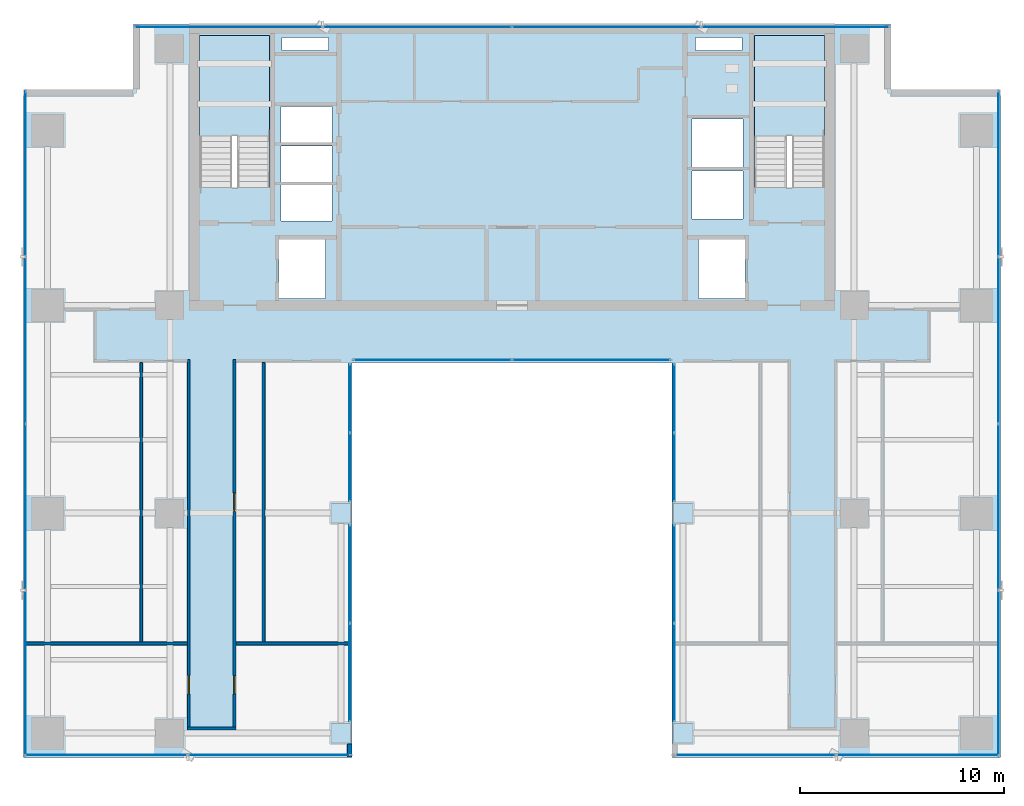
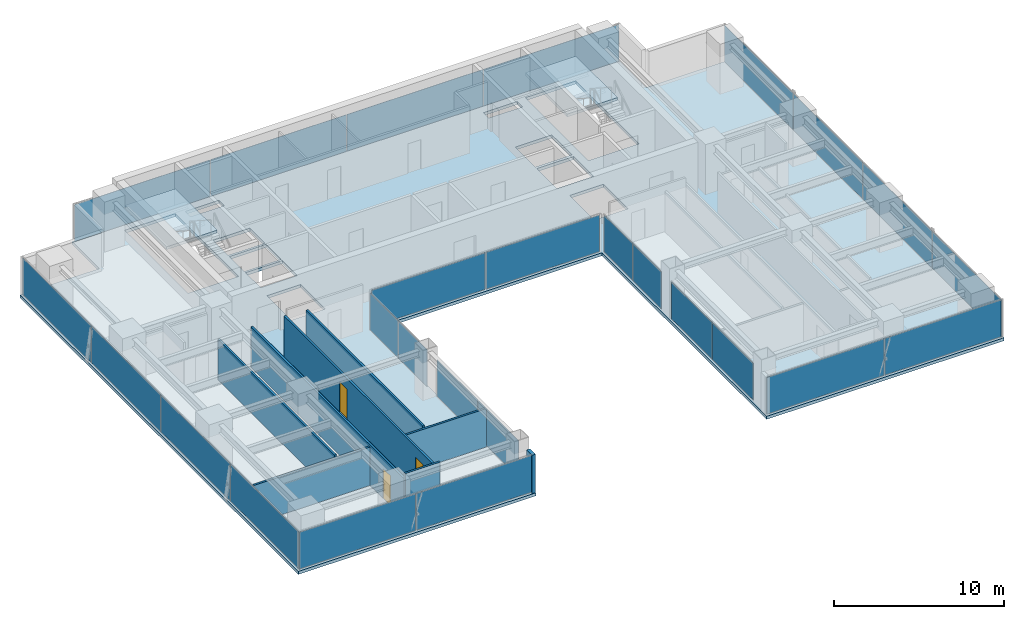
# One storey, part 23 of 30: 26 plates, 8 walls, 3 doors, 3 slabs, 3 openings, 12 elements without a shape of their own.
"""IFC4 building model written with IfcOpenShell, lengths in metres."""

from ifc_helpers import new_model, si_unit, direction, frame, frame_2d, origin, origin_2d, place, context, subcontext, project, spatial, polyline, rectangle, outline, extrude, source, transform, mapped, material, layer, layer_set, type_object, element, fill, aggregate, save


model = new_model("IFC4")

# Units and contexts
model_context = context("Model", 3, precision=1e-05, world=origin(), true_north=direction((0.0, 1.0)))
body_context = subcontext(model_context, "Body", "Model", "MODEL_VIEW")
ifc_project = project(units=[si_unit("LENGTHUNIT", "METRE"), si_unit("AREAUNIT", "SQUARE_METRE"), si_unit("VOLUMEUNIT", "CUBIC_METRE"), si_unit("PLANEANGLEUNIT", "RADIAN"), si_unit("MASSUNIT", "GRAM", prefix="KILO")], contexts=[model_context])

# Site, building, storey
site_placement = place(None, origin())
site = spatial("IfcSite", under=ifc_project, at=site_placement, CompositionType="ELEMENT")
building_placement = place(site_placement, origin())
building = spatial("IfcBuilding", under=site, at=building_placement, Name="Sumidabori Civic Tower", CompositionType="ELEMENT")
storey_placement = place(building_placement, frame((0.0, 0.0, 200.0)))
storey = spatial("IfcBuildingStorey", under=building, at=storey_placement, Name="L51", CompositionType="ELEMENT", Elevation=200.0)

# Stair, slab
ifc_material_1 = material(Name="Concrete C40/50", Category="concrete")
stair_type = type_object("IfcStairType", Name="ST-CORE-1600", PredefinedType="HALF_TURN_STAIR", material=ifc_material_1)
stair_1_placement = place(storey_placement, origin())
stair_1 = element("IfcStair", 1, at=stair_1_placement, inside=storey, type_object=stair_type, Name="L51 ST-1", PredefinedType="HALF_TURN_STAIR")
ifc_layer_1 = layer(ifc_material_1, 0.199951171875, Name="Concrete C40/50")
ifc_layer_set_1 = layer_set([ifc_layer_1], Name="Concrete C40/50")
slab_type_1 = type_object("IfcSlabType", Name="SL-LAND-200", PredefinedType="LANDING", material=ifc_layer_set_1)
slab_1_placement = place(storey_placement, frame((0.0, 0.0, 1.60009765625)))
slab_1 = element("IfcSlab", 2, at=slab_1_placement, type_object=slab_type_1, Name="ST-1 landing 1", PredefinedType="LANDING", context=body_context, shape_type="SweptSolid", body=[
    extrude(outline(polyline([(-11.89990234375, 18.52001953125), (-11.89990234375, 23.449951171875), (-15.340087890625, 23.449951171875), (-15.340087890625, 18.52001953125), (-11.89990234375, 18.52001953125)])), origin(), (0.0, 0.0, 1.0), 0.199951171875),
])
aggregate(stair_1, [slab_1])

stair_2_placement = place(storey_placement, origin())
stair_2 = element("IfcStair", 3, at=stair_2_placement, inside=storey, type_object=stair_type, Name="L51 ST-2", PredefinedType="HALF_TURN_STAIR")
slab_2_placement = place(storey_placement, frame((0.0, 0.0, 1.60009765625)))
slab_2 = element("IfcSlab", 4, at=slab_2_placement, type_object=slab_type_1, Name="ST-2 landing 1", PredefinedType="LANDING", context=body_context, shape_type="SweptSolid", body=[
    extrude(outline(polyline([(15.340087890625, 18.52001953125), (15.340087890625, 23.449951171875), (11.89990234375, 23.449951171875), (11.89990234375, 18.52001953125), (15.340087890625, 18.52001953125)])), origin(), (0.0, 0.0, 1.0), 0.199951171875),
])
aggregate(stair_2, [slab_2])

# Slab
ifc_layer_2 = layer(ifc_material_1, 0.219970703125, Name="Concrete C40/50")
ifc_layer_set_2 = layer_set([ifc_layer_2], Name="Concrete C40/50")
slab_type_2 = type_object("IfcSlabType", Name="SL-Z3-220", PredefinedType="FLOOR", material=ifc_layer_set_2)
slab_3_placement = place(storey_placement, frame((0.0, 0.0, -0.219970703125)))
element("IfcSlab", 5, at=slab_3_placement, inside=storey, type_object=slab_type_2, Name="Structural Slab L51", PredefinedType="FLOOR", context=body_context, shape_type="SweptSolid", body=[
    extrude(outline(polyline([(-24.0, -12.0), (-7.85009765625, -12.0), (-7.85009765625, 7.39990234375), (7.85009765625, 7.39990234375), (7.85009765625, -12.0), (24.0, -12.0), (24.0, 20.800048828125), (18.60009765625, 20.800048828125), (18.60009765625, 24.0), (-18.60009765625, 24.0), (-18.60009765625, 20.800048828125), (-24.0, 20.800048828125), (-24.0, -12.0)]), holes=[polyline([(-11.89990234375, 16.0), (-11.89990234375, 23.449951171875), (-15.340087890625, 23.449951171875), (-15.340087890625, 16.0), (-11.89990234375, 16.0)]), polyline([(15.340087890625, 16.0), (15.340087890625, 23.449951171875), (11.89990234375, 23.449951171875), (11.89990234375, 16.0), (15.340087890625, 16.0)]), polyline([(-11.449951171875, 10.550048828125), (-9.14990234375, 10.550048828125), (-9.14990234375, 13.449951171875), (-11.449951171875, 13.449951171875), (-11.449951171875, 10.550048828125)]), polyline([(9.14990234375, 10.550048828125), (11.449951171875, 10.550048828125), (11.449951171875, 13.449951171875), (9.14990234375, 13.449951171875), (9.14990234375, 10.550048828125)]), polyline([(-11.35009765625, 14.35009765625), (-8.85009765625, 14.35009765625), (-8.85009765625, 16.1201171875), (-11.35009765625, 16.1201171875), (-11.35009765625, 14.35009765625)]), polyline([(-11.35009765625, 16.27001953125), (-8.85009765625, 16.27001953125), (-8.85009765625, 18.0400390625), (-11.35009765625, 18.0400390625), (-11.35009765625, 16.27001953125)]), polyline([(-11.35009765625, 18.18994140625), (-8.85009765625, 18.18994140625), (-8.85009765625, 19.9599609375), (-11.35009765625, 19.9599609375), (-11.35009765625, 18.18994140625)]), polyline([(8.85009765625, 14.449951171875), (11.35009765625, 14.449951171875), (11.35009765625, 16.800048828125), (8.85009765625, 16.800048828125), (8.85009765625, 14.449951171875)]), polyline([(8.85009765625, 17.0), (11.35009765625, 17.0), (11.35009765625, 19.35009765625), (8.85009765625, 19.35009765625), (8.85009765625, 17.0)]), polyline([(-11.300048828125, 22.719970703125), (-9.0, 22.719970703125), (-9.0, 23.35009765625), (-11.300048828125, 23.35009765625), (-11.300048828125, 22.719970703125)]), polyline([(9.0, 22.719970703125), (11.300048828125, 22.719970703125), (11.300048828125, 23.35009765625), (9.0, 23.35009765625), (9.0, 22.719970703125)])]), origin(), (0.0, 0.0, 1.0), 0.219970703125),
])

# Curtain wall, plates
ifc_material_2 = material(Name="Anodised Bronze Aluminium AW-6063-T6", Category="aluminium")
ifc_layer_3 = layer(ifc_material_2, 0.179931640625, Name="Anodised Bronze Aluminium AW-6063-T6")
ifc_layer_set_3 = layer_set([ifc_layer_3], Name="Anodised Bronze Aluminium AW-6063-T6")
curtain_wall_type_1 = type_object("IfcCurtainWallType", Name="CW-SYS-5", PredefinedType="NOTDEFINED", material=ifc_layer_set_3)
curtain_wall_1_placement = place(storey_placement, origin())
curtain_wall_1 = element("IfcCurtainWall", 6, at=curtain_wall_1_placement, inside=storey, type_object=curtain_wall_type_1, Name="Curtain Wall CW:L51:R01", PredefinedType="NOTDEFINED")
ifc_material_3 = material(Name="Low-E Solar-Control Vision Glazing", Category="glass")
ifc_layer_4 = layer(ifc_material_3, 0.028076171875, Name="Low-E Solar-Control Vision Glazing")
ifc_layer_set_4 = layer_set([ifc_layer_4], Name="Low-E Solar-Control Vision Glazing")
plate_type_1 = type_object("IfcPlateType", Name="CW-PNL-28", PredefinedType="CURTAIN_PANEL", material=ifc_layer_set_4)
shared_shape_1 = source(origin(), body_context, "Body", "SweptSolid", [
    extrude(rectangle(XDim=7.955078125, YDim=0.028076171875, at=origin_2d()), origin(), (0.0, 0.0, 1.0), 2.639892578125),
])
plate_1_placement = place(storey_placement, frame((-19.9326171875, -11.8798828125, 0.06005859375), z_axis=(0.0, 0.0, 1.0), x_axis=(1.0, 0.0, 0.0)))
plate_1 = element("IfcPlate", 7, at=plate_1_placement, type_object=plate_type_1, Name="CW-5 panel 1.1", PredefinedType="CURTAIN_PANEL", context=body_context, shape_type="MappedRepresentation", body=[
    mapped(shared_shape_1, transform((0.0, 0.0, 0.0), x_axis=(1.0, 0.0, 0.0), y_axis=(0.0, 1.0, 0.0), z_axis=(0.0, 0.0, 1.0), scale=1.0)),
])
plate_2_placement = place(storey_placement, frame((-11.91748046875, -11.8798828125, 0.06005859375), z_axis=(0.0, 0.0, 1.0), x_axis=(1.0, 0.0, 0.0)))
plate_2 = element("IfcPlate", 8, at=plate_2_placement, type_object=plate_type_1, Name="CW-5 panel 2.1", PredefinedType="CURTAIN_PANEL", context=body_context, shape_type="MappedRepresentation", body=[
    mapped(shared_shape_1, transform((0.0, 0.0, 0.0), x_axis=(1.0, 0.0, 0.0), y_axis=(0.0, 1.0, 0.0), z_axis=(0.0, 0.0, 1.0), scale=1.0)),
])
aggregate(curtain_wall_1, [plate_1, plate_2])

curtain_wall_2_placement = place(storey_placement, origin())
curtain_wall_2 = element("IfcCurtainWall", 9, at=curtain_wall_2_placement, inside=storey, type_object=curtain_wall_type_1, Name="Curtain Wall CW:L51:R09", PredefinedType="NOTDEFINED")
plate_3_placement = place(storey_placement, frame((11.91748046875, -11.8798828125, 0.06005859375), z_axis=(0.0, 0.0, 1.0), x_axis=(1.0, 0.0, 0.0)))
plate_3 = element("IfcPlate", 10, at=plate_3_placement, type_object=plate_type_1, Name="CW-5 panel 1.1", PredefinedType="CURTAIN_PANEL", context=body_context, shape_type="MappedRepresentation", body=[
    mapped(shared_shape_1, transform((0.0, 0.0, 0.0), x_axis=(1.0, 0.0, 0.0), y_axis=(0.0, 1.0, 0.0), z_axis=(0.0, 0.0, 1.0), scale=1.0)),
])
plate_4_placement = place(storey_placement, frame((19.9326171875, -11.8798828125, 0.06005859375), z_axis=(0.0, 0.0, 1.0), x_axis=(1.0, 0.0, 0.0)))
plate_4 = element("IfcPlate", 11, at=plate_4_placement, type_object=plate_type_1, Name="CW-5 panel 2.1", PredefinedType="CURTAIN_PANEL", context=body_context, shape_type="MappedRepresentation", body=[
    mapped(shared_shape_1, transform((0.0, 0.0, 0.0), x_axis=(1.0, 0.0, 0.0), y_axis=(0.0, 1.0, 0.0), z_axis=(0.0, 0.0, 1.0), scale=1.0)),
])
aggregate(curtain_wall_2, [plate_3, plate_4])

ifc_layer_5 = layer(ifc_material_2, 0.179931640625, Name="Anodised Bronze Aluminium AW-6063-T6")
ifc_layer_set_5 = layer_set([ifc_layer_5], Name="Anodised Bronze Aluminium AW-6063-T6")
curtain_wall_type_2 = type_object("IfcCurtainWallType", Name="CW-SYS-4", PredefinedType="NOTDEFINED", material=ifc_layer_set_5)
curtain_wall_3_placement = place(storey_placement, origin())
curtain_wall_3 = element("IfcCurtainWall", 12, at=curtain_wall_3_placement, inside=storey, type_object=curtain_wall_type_2, Name="Curtain Wall CW:L51:R03", PredefinedType="NOTDEFINED")
ifc_material_4 = material(Name="Acoustic Laminated Portal Glazing", Category="glass")
ifc_layer_6 = layer(ifc_material_4, 0.030029296875, Name="Acoustic Laminated Portal Glazing")
ifc_layer_set_6 = layer_set([ifc_layer_6], Name="Acoustic Laminated Portal Glazing")
plate_type_2 = type_object("IfcPlateType", Name="CW-PNL-30", PredefinedType="CURTAIN_PANEL", material=ifc_layer_set_6)
shared_shape_2 = source(origin(), body_context, "Body", "SweptSolid", [
    extrude(rectangle(XDim=4.780029296875, YDim=0.030029296875, at=origin_2d()), origin(), (0.0, 0.0, 1.0), 2.639892578125),
])
plate_5_placement = place(storey_placement, frame((-7.969970703125, -7.820068359375, 0.06005859375), z_axis=(0.0, 0.0, 1.0), x_axis=(0.0, 1.0, 0.0)))
plate_5 = element("IfcPlate", 13, at=plate_5_placement, type_object=plate_type_2, Name="CW-4 panel 1.1", PredefinedType="CURTAIN_PANEL", context=body_context, shape_type="MappedRepresentation", body=[
    mapped(shared_shape_2, transform((0.0, 0.0, 0.0), x_axis=(1.0, 0.0, 0.0), y_axis=(0.0, 1.0, 0.0), z_axis=(0.0, 0.0, 1.0), scale=1.0)),
])
plate_6_placement = place(storey_placement, frame((-7.969970703125, -2.97998046875, 0.06005859375), z_axis=(0.0, 0.0, 1.0), x_axis=(0.0, 1.0, 0.0)))
plate_6 = element("IfcPlate", 14, at=plate_6_placement, type_object=plate_type_2, Name="CW-4 panel 2.1", PredefinedType="CURTAIN_PANEL", context=body_context, shape_type="MappedRepresentation", body=[
    mapped(shared_shape_2, transform((0.0, 0.0, 0.0), x_axis=(1.0, 0.0, 0.0), y_axis=(0.0, 1.0, 0.0), z_axis=(0.0, 0.0, 1.0), scale=1.0)),
])
aggregate(curtain_wall_3, [plate_5, plate_6])

curtain_wall_4_placement = place(storey_placement, origin())
curtain_wall_4 = element("IfcCurtainWall", 15, at=curtain_wall_4_placement, inside=storey, type_object=curtain_wall_type_2, Name="Curtain Wall CW:L51:R07", PredefinedType="NOTDEFINED")
plate_7_placement = place(storey_placement, frame((7.969970703125, -2.97998046875, 0.06005859375), z_axis=(0.0, 0.0, 1.0), x_axis=(0.0, -1.0, 0.0)))
plate_7 = element("IfcPlate", 16, at=plate_7_placement, type_object=plate_type_2, Name="CW-4 panel 1.1", PredefinedType="CURTAIN_PANEL", context=body_context, shape_type="MappedRepresentation", body=[
    mapped(shared_shape_2, transform((0.0, 0.0, 0.0), x_axis=(1.0, 0.0, 0.0), y_axis=(0.0, 1.0, 0.0), z_axis=(0.0, 0.0, 1.0), scale=1.0)),
])
plate_8_placement = place(storey_placement, frame((7.969970703125, -7.820068359375, 0.06005859375), z_axis=(0.0, 0.0, 1.0), x_axis=(0.0, -1.0, 0.0)))
plate_8 = element("IfcPlate", 17, at=plate_8_placement, type_object=plate_type_2, Name="CW-4 panel 2.1", PredefinedType="CURTAIN_PANEL", context=body_context, shape_type="MappedRepresentation", body=[
    mapped(shared_shape_2, transform((0.0, 0.0, 0.0), x_axis=(1.0, 0.0, 0.0), y_axis=(0.0, 1.0, 0.0), z_axis=(0.0, 0.0, 1.0), scale=1.0)),
])
aggregate(curtain_wall_4, [plate_7, plate_8])

curtain_wall_5_placement = place(storey_placement, origin())
curtain_wall_5 = element("IfcCurtainWall", 18, at=curtain_wall_5_placement, inside=storey, type_object=curtain_wall_type_2, Name="Curtain Wall CW:L51:R04", PredefinedType="NOTDEFINED")
shared_shape_3 = source(origin(), body_context, "Body", "SweptSolid", [
    extrude(rectangle(XDim=3.330078125, YDim=0.030029296875, at=origin_2d()), origin(), (0.0, 0.0, 1.0), 2.639892578125),
])
plate_9_placement = place(storey_placement, frame((-7.969970703125, 2.2548828125, 0.06005859375), z_axis=(0.0, 0.0, 1.0), x_axis=(0.0, 1.0, 0.0)))
plate_9 = element("IfcPlate", 19, at=plate_9_placement, type_object=plate_type_2, Name="CW-4 panel 1.1", PredefinedType="CURTAIN_PANEL", context=body_context, shape_type="MappedRepresentation", body=[
    mapped(shared_shape_3, transform((0.0, 0.0, 0.0), x_axis=(1.0, 0.0, 0.0), y_axis=(0.0, 1.0, 0.0), z_axis=(0.0, 0.0, 1.0), scale=1.0)),
])
plate_10_placement = place(storey_placement, frame((-7.969970703125, 5.64501953125, 0.06005859375), z_axis=(0.0, 0.0, 1.0), x_axis=(0.0, 1.0, 0.0)))
plate_10 = element("IfcPlate", 20, at=plate_10_placement, type_object=plate_type_2, Name="CW-4 panel 2.1", PredefinedType="CURTAIN_PANEL", context=body_context, shape_type="MappedRepresentation", body=[
    mapped(shared_shape_3, transform((0.0, 0.0, 0.0), x_axis=(1.0, 0.0, 0.0), y_axis=(0.0, 1.0, 0.0), z_axis=(0.0, 0.0, 1.0), scale=1.0)),
])
aggregate(curtain_wall_5, [plate_9, plate_10])

curtain_wall_6_placement = place(storey_placement, origin())
curtain_wall_6 = element("IfcCurtainWall", 21, at=curtain_wall_6_placement, inside=storey, type_object=curtain_wall_type_2, Name="Curtain Wall CW:L51:R06", PredefinedType="NOTDEFINED")
plate_11_placement = place(storey_placement, frame((7.969970703125, 5.64501953125, 0.06005859375), z_axis=(0.0, 0.0, 1.0), x_axis=(0.0, -1.0, 0.0)))
plate_11 = element("IfcPlate", 22, at=plate_11_placement, type_object=plate_type_2, Name="CW-4 panel 1.1", PredefinedType="CURTAIN_PANEL", context=body_context, shape_type="MappedRepresentation", body=[
    mapped(shared_shape_3, transform((0.0, 0.0, 0.0), x_axis=(1.0, 0.0, 0.0), y_axis=(0.0, 1.0, 0.0), z_axis=(0.0, 0.0, 1.0), scale=1.0)),
])
plate_12_placement = place(storey_placement, frame((7.969970703125, 2.2548828125, 0.06005859375), z_axis=(0.0, 0.0, 1.0), x_axis=(0.0, -1.0, 0.0)))
plate_12 = element("IfcPlate", 23, at=plate_12_placement, type_object=plate_type_2, Name="CW-4 panel 2.1", PredefinedType="CURTAIN_PANEL", context=body_context, shape_type="MappedRepresentation", body=[
    mapped(shared_shape_3, transform((0.0, 0.0, 0.0), x_axis=(1.0, 0.0, 0.0), y_axis=(0.0, 1.0, 0.0), z_axis=(0.0, 0.0, 1.0), scale=1.0)),
])
aggregate(curtain_wall_6, [plate_11, plate_12])

curtain_wall_7_placement = place(storey_placement, origin())
curtain_wall_7 = element("IfcCurtainWall", 24, at=curtain_wall_7_placement, inside=storey, type_object=curtain_wall_type_2, Name="Curtain Wall CW:L51:R05", PredefinedType="NOTDEFINED")
shared_shape_4 = source(origin(), body_context, "Body", "SweptSolid", [
    extrude(rectangle(XDim=7.72998046875, YDim=0.030029296875, at=origin_2d()), origin(), (0.0, 0.0, 1.0), 2.639892578125),
])
plate_13_placement = place(storey_placement, frame((-3.89501953125, 7.52001953125, 0.06005859375), z_axis=(0.0, 0.0, 1.0), x_axis=(1.0, 0.0, 0.0)))
plate_13 = element("IfcPlate", 25, at=plate_13_placement, type_object=plate_type_2, Name="CW-4 panel 1.1", PredefinedType="CURTAIN_PANEL", context=body_context, shape_type="MappedRepresentation", body=[
    mapped(shared_shape_4, transform((0.0, 0.0, 0.0), x_axis=(1.0, 0.0, 0.0), y_axis=(0.0, 1.0, 0.0), z_axis=(0.0, 0.0, 1.0), scale=1.0)),
])
plate_14_placement = place(storey_placement, frame((3.89501953125, 7.52001953125, 0.06005859375), z_axis=(0.0, 0.0, 1.0), x_axis=(1.0, 0.0, 0.0)))
plate_14 = element("IfcPlate", 26, at=plate_14_placement, type_object=plate_type_2, Name="CW-4 panel 2.1", PredefinedType="CURTAIN_PANEL", context=body_context, shape_type="MappedRepresentation", body=[
    mapped(shared_shape_4, transform((0.0, 0.0, 0.0), x_axis=(1.0, 0.0, 0.0), y_axis=(0.0, 1.0, 0.0), z_axis=(0.0, 0.0, 1.0), scale=1.0)),
])
aggregate(curtain_wall_7, [plate_13, plate_14])

curtain_wall_8_placement = place(storey_placement, origin())
curtain_wall_8 = element("IfcCurtainWall", 27, at=curtain_wall_8_placement, inside=storey, type_object=curtain_wall_type_1, Name="Curtain Wall CW:L51:R10", PredefinedType="NOTDEFINED")
shared_shape_5 = source(origin(), body_context, "Body", "SweptSolid", [
    extrude(rectangle(XDim=8.094970703125, YDim=0.028076171875, at=origin_2d()), origin(), (0.0, 0.0, 1.0), 2.639892578125),
])
plate_15_placement = place(storey_placement, frame((23.8798828125, -7.862548828125, 0.06005859375), z_axis=(0.0, 0.0, 1.0), x_axis=(0.0, 1.0, 0.0)))
plate_15 = element("IfcPlate", 28, at=plate_15_placement, type_object=plate_type_1, Name="CW-5 panel 1.1", PredefinedType="CURTAIN_PANEL", context=body_context, shape_type="MappedRepresentation", body=[
    mapped(shared_shape_5, transform((0.0, 0.0, 0.0), x_axis=(1.0, 0.0, 0.0), y_axis=(0.0, 1.0, 0.0), z_axis=(0.0, 0.0, 1.0), scale=1.0)),
])
plate_16_placement = place(storey_placement, frame((23.8798828125, 16.66259765625, 0.06005859375), z_axis=(0.0, 0.0, 1.0), x_axis=(0.0, 1.0, 0.0)))
plate_16 = element("IfcPlate", 29, at=plate_16_placement, type_object=plate_type_1, Name="CW-5 panel 4.1", PredefinedType="CURTAIN_PANEL", context=body_context, shape_type="MappedRepresentation", body=[
    mapped(shared_shape_5, transform((0.0, 0.0, 0.0), x_axis=(1.0, 0.0, 0.0), y_axis=(0.0, 1.0, 0.0), z_axis=(0.0, 0.0, 1.0), scale=1.0)),
])

curtain_wall_9_placement = place(storey_placement, origin())
curtain_wall_9 = element("IfcCurtainWall", 30, at=curtain_wall_9_placement, inside=storey, type_object=curtain_wall_type_1, Name="Curtain Wall CW:L51:R16", PredefinedType="NOTDEFINED")
plate_17_placement = place(storey_placement, frame((-23.8798828125, 16.66259765625, 0.06005859375), z_axis=(0.0, 0.0, 1.0), x_axis=(0.0, -1.0, 0.0)))
plate_17 = element("IfcPlate", 31, at=plate_17_placement, type_object=plate_type_1, Name="CW-5 panel 1.1", PredefinedType="CURTAIN_PANEL", context=body_context, shape_type="MappedRepresentation", body=[
    mapped(shared_shape_5, transform((0.0, 0.0, 0.0), x_axis=(1.0, 0.0, 0.0), y_axis=(0.0, 1.0, 0.0), z_axis=(0.0, 0.0, 1.0), scale=1.0)),
])
plate_18_placement = place(storey_placement, frame((-23.8798828125, -7.862548828125, 0.06005859375), z_axis=(0.0, 0.0, 1.0), x_axis=(0.0, -1.0, 0.0)))
plate_18 = element("IfcPlate", 32, at=plate_18_placement, type_object=plate_type_1, Name="CW-5 panel 4.1", PredefinedType="CURTAIN_PANEL", context=body_context, shape_type="MappedRepresentation", body=[
    mapped(shared_shape_5, transform((0.0, 0.0, 0.0), x_axis=(1.0, 0.0, 0.0), y_axis=(0.0, 1.0, 0.0), z_axis=(0.0, 0.0, 1.0), scale=1.0)),
])

# Plate
shared_shape_6 = source(origin(), body_context, "Body", "SweptSolid", [
    extrude(rectangle(XDim=8.125, YDim=0.028076171875, at=origin_2d()), origin(), (0.0, 0.0, 1.0), 2.639892578125),
])
plate_19_placement = place(storey_placement, frame((23.8798828125, 0.3076171875, 0.06005859375), z_axis=(0.0, 0.0, 1.0), x_axis=(0.0, 1.0, 0.0)))
plate_19 = element("IfcPlate", 33, at=plate_19_placement, type_object=plate_type_1, Name="CW-5 panel 2.1", PredefinedType="CURTAIN_PANEL", context=body_context, shape_type="MappedRepresentation", body=[
    mapped(shared_shape_6, transform((0.0, 0.0, 0.0), x_axis=(1.0, 0.0, 0.0), y_axis=(0.0, 1.0, 0.0), z_axis=(0.0, 0.0, 1.0), scale=1.0)),
])

plate_20_placement = place(storey_placement, frame((23.8798828125, 8.492431640625, 0.06005859375), z_axis=(0.0, 0.0, 1.0), x_axis=(0.0, 1.0, 0.0)))
plate_20 = element("IfcPlate", 34, at=plate_20_placement, type_object=plate_type_1, Name="CW-5 panel 3.1", PredefinedType="CURTAIN_PANEL", context=body_context, shape_type="MappedRepresentation", body=[
    mapped(shared_shape_6, transform((0.0, 0.0, 0.0), x_axis=(1.0, 0.0, 0.0), y_axis=(0.0, 1.0, 0.0), z_axis=(0.0, 0.0, 1.0), scale=1.0)),
])

aggregate(curtain_wall_8, [plate_15, plate_19, plate_20, plate_16])

plate_21_placement = place(storey_placement, frame((-23.8798828125, 8.492431640625, 0.06005859375), z_axis=(0.0, 0.0, 1.0), x_axis=(0.0, -1.0, 0.0)))
plate_21 = element("IfcPlate", 35, at=plate_21_placement, type_object=plate_type_1, Name="CW-5 panel 2.1", PredefinedType="CURTAIN_PANEL", context=body_context, shape_type="MappedRepresentation", body=[
    mapped(shared_shape_6, transform((0.0, 0.0, 0.0), x_axis=(1.0, 0.0, 0.0), y_axis=(0.0, 1.0, 0.0), z_axis=(0.0, 0.0, 1.0), scale=1.0)),
])

plate_22_placement = place(storey_placement, frame((-23.8798828125, 0.3076171875, 0.06005859375), z_axis=(0.0, 0.0, 1.0), x_axis=(0.0, -1.0, 0.0)))
plate_22 = element("IfcPlate", 36, at=plate_22_placement, type_object=plate_type_1, Name="CW-5 panel 3.1", PredefinedType="CURTAIN_PANEL", context=body_context, shape_type="MappedRepresentation", body=[
    mapped(shared_shape_6, transform((0.0, 0.0, 0.0), x_axis=(1.0, 0.0, 0.0), y_axis=(0.0, 1.0, 0.0), z_axis=(0.0, 0.0, 1.0), scale=1.0)),
])

aggregate(curtain_wall_9, [plate_17, plate_21, plate_22, plate_18])

# Curtain wall, plates
curtain_wall_10_placement = place(storey_placement, origin())
curtain_wall_10 = element("IfcCurtainWall", 37, at=curtain_wall_10_placement, inside=storey, type_object=curtain_wall_type_1, Name="Curtain Wall CW:L51:R13", PredefinedType="NOTDEFINED")
shared_shape_7 = source(origin(), body_context, "Body", "SweptSolid", [
    extrude(rectangle(XDim=9.195068359375, YDim=0.028076171875, at=origin_2d()), origin(), (0.0, 0.0, 1.0), 2.639892578125),
])
plate_23_placement = place(storey_placement, frame((13.91259765625, 23.8798828125, 0.06005859375), z_axis=(0.0, 0.0, 1.0), x_axis=(-1.0, 0.0, 0.0)))
plate_23 = element("IfcPlate", 38, at=plate_23_placement, type_object=plate_type_1, Name="CW-5 panel 1.1", PredefinedType="CURTAIN_PANEL", context=body_context, shape_type="MappedRepresentation", body=[
    mapped(shared_shape_7, transform((0.0, 0.0, 0.0), x_axis=(1.0, 0.0, 0.0), y_axis=(0.0, 1.0, 0.0), z_axis=(0.0, 0.0, 1.0), scale=1.0)),
])
plate_24_placement = place(storey_placement, frame((-13.91259765625, 23.8798828125, 0.06005859375), z_axis=(0.0, 0.0, 1.0), x_axis=(-1.0, 0.0, 0.0)))
plate_24 = element("IfcPlate", 39, at=plate_24_placement, type_object=plate_type_1, Name="CW-5 panel 4.1", PredefinedType="CURTAIN_PANEL", context=body_context, shape_type="MappedRepresentation", body=[
    mapped(shared_shape_7, transform((0.0, 0.0, 0.0), x_axis=(1.0, 0.0, 0.0), y_axis=(0.0, 1.0, 0.0), z_axis=(0.0, 0.0, 1.0), scale=1.0)),
])
shared_shape_8 = source(origin(), body_context, "Body", "SweptSolid", [
    extrude(rectangle(XDim=9.22509765625, YDim=0.028076171875, at=origin_2d()), origin(), (0.0, 0.0, 1.0), 2.639892578125),
])
plate_25_placement = place(storey_placement, frame((4.642578125, 23.8798828125, 0.06005859375), z_axis=(0.0, 0.0, 1.0), x_axis=(-1.0, 0.0, 0.0)))
plate_25 = element("IfcPlate", 40, at=plate_25_placement, type_object=plate_type_1, Name="CW-5 panel 2.1", PredefinedType="CURTAIN_PANEL", context=body_context, shape_type="MappedRepresentation", body=[
    mapped(shared_shape_8, transform((0.0, 0.0, 0.0), x_axis=(1.0, 0.0, 0.0), y_axis=(0.0, 1.0, 0.0), z_axis=(0.0, 0.0, 1.0), scale=1.0)),
])
plate_26_placement = place(storey_placement, frame((-4.642578125, 23.8798828125, 0.06005859375), z_axis=(0.0, 0.0, 1.0), x_axis=(-1.0, 0.0, 0.0)))
plate_26 = element("IfcPlate", 41, at=plate_26_placement, type_object=plate_type_1, Name="CW-5 panel 3.1", PredefinedType="CURTAIN_PANEL", context=body_context, shape_type="MappedRepresentation", body=[
    mapped(shared_shape_8, transform((0.0, 0.0, 0.0), x_axis=(1.0, 0.0, 0.0), y_axis=(0.0, 1.0, 0.0), z_axis=(0.0, 0.0, 1.0), scale=1.0)),
])
aggregate(curtain_wall_10, [plate_23, plate_25, plate_26, plate_24])

# Walls
ifc_material_5 = material(Name="Precast concrete C40/50", Category="concrete")
ifc_layer_7 = layer(ifc_material_5, 0.300048828125, Name="Precast concrete C40/50")
ifc_layer_set_7 = layer_set([ifc_layer_7], Name="Precast concrete C40/50")
wall_type_1 = type_object("IfcWallType", Name="WL-EXT-POD300", PredefinedType="STANDARD", material=ifc_layer_set_7)
shared_shape_9 = source(origin(), body_context, "Body", "SweptSolid", [
    extrude(rectangle(XDim=0.639892578125, YDim=0.239990234375, at=frame_2d((0.31982421875, 0.0))), origin(), (0.0, 0.0, 1.0), 2.760009765625),
])
wall_1_placement = place(storey_placement, frame((-7.969970703125, -11.969970703125, 0.0), z_axis=(0.0, 0.0, 1.0), x_axis=(0.0, 1.0, 0.0)))
element("IfcWall", 42, at=wall_1_placement, inside=storey, type_object=wall_type_1, Name="Perimeter Pier Spandrel L51-02", PredefinedType="STANDARD", context=body_context, shape_type="MappedRepresentation", body=[
    mapped(shared_shape_9, transform((0.0, 0.0, 0.0), x_axis=(1.0, 0.0, 0.0), y_axis=(0.0, 1.0, 0.0), z_axis=(0.0, 0.0, 1.0), scale=1.0)),
])
ifc_material_6 = material(Name="Gypsum Plasterboard Acoustic Partition")
ifc_layer_8 = layer(ifc_material_6, 0.135009765625, Name="Gypsum Plasterboard Acoustic Partition")
ifc_layer_set_8 = layer_set([ifc_layer_8], Name="Gypsum Plasterboard Acoustic Partition")
wall_type_2 = type_object("IfcWallType", Name="WL-PART-135", PredefinedType="PARTITIONING", material=ifc_layer_set_8)
shared_shape_10 = source(origin(), body_context, "Body", "SweptSolid", [
    extrude(rectangle(XDim=2.3701171875, YDim=0.135009765625, at=frame_2d((1.18505859375, 0.0))), origin(), (0.0, 0.0, 1.0), 3.3798828125),
])
wall_2_placement = place(storey_placement, frame((-15.93505859375, -10.5673828125, 0.0), z_axis=(0.0, 0.0, 1.0), x_axis=(1.0, 0.0, 0.0)))
element("IfcWall", 43, at=wall_2_placement, inside=storey, type_object=wall_type_2, Name="Interior Partition WL:L51:CORR-CAP-W", PredefinedType="PARTITIONING", context=body_context, shape_type="MappedRepresentation", body=[
    mapped(shared_shape_10, transform((0.0, 0.0, 0.0), x_axis=(1.0, 0.0, 0.0), y_axis=(0.0, 1.0, 0.0), z_axis=(0.0, 0.0, 1.0), scale=1.0)),
])

# Wall, opening, door
shared_shape_11 = source(origin(), body_context, "Body", "SweptSolid", [
    extrude(rectangle(XDim=18.045166015625, YDim=0.135009765625, at=frame_2d((9.0224609375, 0.0))), origin(), (0.0, 0.0, 1.0), 2.9150390625),
])
wall_3_placement = place(storey_placement, frame((-15.867431640625, -10.4951171875, 0.0), z_axis=(0.0, 0.0, 1.0), x_axis=(0.0, 1.0, 0.0)))
wall_3 = element("IfcWall", 44, at=wall_3_placement, inside=storey, type_object=wall_type_2, Name="Interior Partition WL:L51:CORR-VPW-O", PredefinedType="PARTITIONING", context=body_context, shape_type="MappedRepresentation", body=[
    mapped(shared_shape_11, transform((0.0, 0.0, 0.0), x_axis=(1.0, 0.0, 0.0), y_axis=(0.0, 1.0, 0.0), z_axis=(0.0, 0.0, 1.0), scale=1.0)),
])
opening_1_placement = place(wall_3_placement, frame((1.623779296875, 0.0, 0.0)))
opening_1 = element("IfcOpeningElement", 45, at=opening_1_placement, cuts=wall_3, Name="Opening DR-1", PredefinedType="OPENING", context=body_context, shape_type="SweptSolid", body=[
    extrude(rectangle(XDim=0.89990234375, YDim=2.14990234375, at=frame_2d((0.449951171875, 1.074951171875))), frame((0.0, 0.07958984375, 0.0), z_axis=(0.0, -1.0, 0.0), x_axis=(1.0, 0.0, 0.0)), (0.0, 0.0, 1.0), 0.158935546875),
])
ifc_material_7 = material(Name="Japanese Hinoki Timber", Category="wood")
door_type = type_object("IfcDoorType", Name="DR-INT-900", OperationType="NOTDEFINED", PredefinedType="DOOR", material=ifc_material_7)
shared_shape_12 = source(origin(), body_context, "Body", "SweptSolid", [
    extrude(rectangle(XDim=0.89990234375, YDim=2.14990234375, at=frame_2d((0.449951171875, 1.074951171875))), frame((0.0, 0.02490234375, 0.0), z_axis=(0.0, -1.0, 0.0), x_axis=(1.0, 0.0, 0.0)), (0.0, 0.0, 1.0), 0.050048828125),
])
door_1_placement = place(opening_1_placement, origin())
door_1 = element("IfcDoor", 46, at=door_1_placement, inside=storey, type_object=door_type, Name="Door DR:L51:D11", OperationType="SINGLE_SWING_LEFT", OverallHeight=2.14990234375, OverallWidth=0.89990234375, PredefinedType="DOOR", context=body_context, shape_type="MappedRepresentation", body=[
    mapped(shared_shape_12, transform((0.0, 0.0, 0.0), x_axis=(1.0, 0.0, 0.0), y_axis=(0.0, 1.0, 0.0), z_axis=(0.0, 0.0, 1.0), scale=1.0)),
])
fill(opening_1, door_1)

# Wall, openings, doors
wall_4_placement = place(storey_placement, frame((-13.632568359375, -10.4951171875, 0.0), z_axis=(0.0, 0.0, 1.0), x_axis=(0.0, 1.0, 0.0)))
wall_4 = element("IfcWall", 47, at=wall_4_placement, inside=storey, type_object=wall_type_2, Name="Interior Partition WL:L51:CORR-VPW-I", PredefinedType="PARTITIONING", context=body_context, shape_type="MappedRepresentation", body=[
    mapped(shared_shape_11, transform((0.0, 0.0, 0.0), x_axis=(1.0, 0.0, 0.0), y_axis=(0.0, 1.0, 0.0), z_axis=(0.0, 0.0, 1.0), scale=1.0)),
])
opening_2_placement = place(wall_4_placement, frame((10.586181640625, 0.0, 0.0)))
opening_2 = element("IfcOpeningElement", 48, at=opening_2_placement, cuts=wall_4, Name="Opening DR-1", PredefinedType="OPENING", context=body_context, shape_type="SweptSolid", body=[
    extrude(rectangle(XDim=0.89990234375, YDim=2.14990234375, at=frame_2d((0.449951171875, 1.074951171875))), frame((0.0, 0.07958984375, 0.0), z_axis=(0.0, -1.0, 0.0), x_axis=(1.0, 0.0, 0.0)), (0.0, 0.0, 1.0), 0.158935546875),
])
opening_3_placement = place(wall_4_placement, frame((1.623779296875, 0.0, 0.0)))
opening_3 = element("IfcOpeningElement", 49, at=opening_3_placement, cuts=wall_4, Name="Opening DR-1", PredefinedType="OPENING", context=body_context, shape_type="SweptSolid", body=[
    extrude(rectangle(XDim=0.89990234375, YDim=2.14990234375, at=frame_2d((0.449951171875, 1.074951171875))), frame((0.0, 0.07958984375, 0.0), z_axis=(0.0, -1.0, 0.0), x_axis=(1.0, 0.0, 0.0)), (0.0, 0.0, 1.0), 0.158935546875),
])
door_2_placement = place(opening_2_placement, origin())
door_2 = element("IfcDoor", 50, at=door_2_placement, inside=storey, type_object=door_type, Name="Door DR:L51:D09", OperationType="SINGLE_SWING_LEFT", OverallHeight=2.14990234375, OverallWidth=0.89990234375, PredefinedType="DOOR", context=body_context, shape_type="MappedRepresentation", body=[
    mapped(shared_shape_12, transform((0.0, 0.0, 0.0), x_axis=(1.0, 0.0, 0.0), y_axis=(0.0, 1.0, 0.0), z_axis=(0.0, 0.0, 1.0), scale=1.0)),
])
fill(opening_2, door_2)
door_3_placement = place(opening_3_placement, origin())
door_3 = element("IfcDoor", 51, at=door_3_placement, inside=storey, type_object=door_type, Name="Door DR:L51:D13", OperationType="SINGLE_SWING_LEFT", OverallHeight=2.14990234375, OverallWidth=0.89990234375, PredefinedType="DOOR", context=body_context, shape_type="MappedRepresentation", body=[
    mapped(shared_shape_12, transform((0.0, 0.0, 0.0), x_axis=(1.0, 0.0, 0.0), y_axis=(0.0, 1.0, 0.0), z_axis=(0.0, 0.0, 1.0), scale=1.0)),
])
fill(opening_3, door_3)

# Walls
shared_shape_13 = source(origin(), body_context, "Body", "SweptSolid", [
    extrude(rectangle(XDim=13.7373046875, YDim=0.135009765625, at=frame_2d((6.86865234375, 0.0))), origin(), (0.0, 0.0, 1.0), 2.9150390625),
])
for number, where, z_axis, x_axis, name in (
    (52, (-18.199951171875, -6.327392578125, 0.0), (0.0, 0.0, 1.0), (0.0, 1.0, 0.0), "Interior Partition WL:L51:VX-N1"),
    (53, (-12.199951171875, -6.327392578125, 0.0), (0.0, 0.0, 1.0), (0.0, 1.0, 0.0), "Interior Partition WL:L51:VX-N2"),
):
    element("IfcWall", number, at=place(storey_placement, frame(where, z_axis=z_axis, x_axis=x_axis)), inside=storey, type_object=wall_type_2, Name=name, PredefinedType="PARTITIONING", context=body_context, shape_type="MappedRepresentation", body=[
        mapped(shared_shape_13, transform((0.0, 0.0, 0.0), x_axis=(1.0, 0.0, 0.0), y_axis=(0.0, 1.0, 0.0), z_axis=(0.0, 0.0, 1.0), scale=1.0)),
    ])
shared_shape_14 = source(origin(), body_context, "Body", "SweptSolid", [
    extrude(rectangle(XDim=7.91015625, YDim=0.135009765625, at=frame_2d((3.955078125, 0.0))), origin(), (0.0, 0.0, 1.0), 2.764892578125),
])
wall_5_placement = place(storey_placement, frame((-23.85009765625, -6.39990234375, 0.0), z_axis=(0.0, 0.0, 1.0), x_axis=(1.0, 0.0, 0.0)))
element("IfcWall", 54, at=wall_5_placement, inside=storey, type_object=wall_type_2, Name="Interior Partition WL:L51:BAND-YW-1", PredefinedType="PARTITIONING", context=body_context, shape_type="MappedRepresentation", body=[
    mapped(shared_shape_14, transform((0.0, 0.0, 0.0), x_axis=(1.0, 0.0, 0.0), y_axis=(0.0, 1.0, 0.0), z_axis=(0.0, 0.0, 1.0), scale=1.0)),
])
shared_shape_15 = source(origin(), body_context, "Body", "SweptSolid", [
    extrude(rectangle(XDim=5.56005859375, YDim=0.135009765625, at=frame_2d((2.780029296875, 0.0))), origin(), (0.0, 0.0, 1.0), 2.764892578125),
])
wall_6_placement = place(storey_placement, frame((-13.56005859375, -6.39990234375, 0.0), z_axis=(0.0, 0.0, 1.0), x_axis=(1.0, 0.0, 0.0)))
element("IfcWall", 55, at=wall_6_placement, inside=storey, type_object=wall_type_2, Name="Interior Partition WL:L51:BAND-YW-2", PredefinedType="PARTITIONING", context=body_context, shape_type="MappedRepresentation", body=[
    mapped(shared_shape_15, transform((0.0, 0.0, 0.0), x_axis=(1.0, 0.0, 0.0), y_axis=(0.0, 1.0, 0.0), z_axis=(0.0, 0.0, 1.0), scale=1.0)),
])

save(model, "model.ifc")
